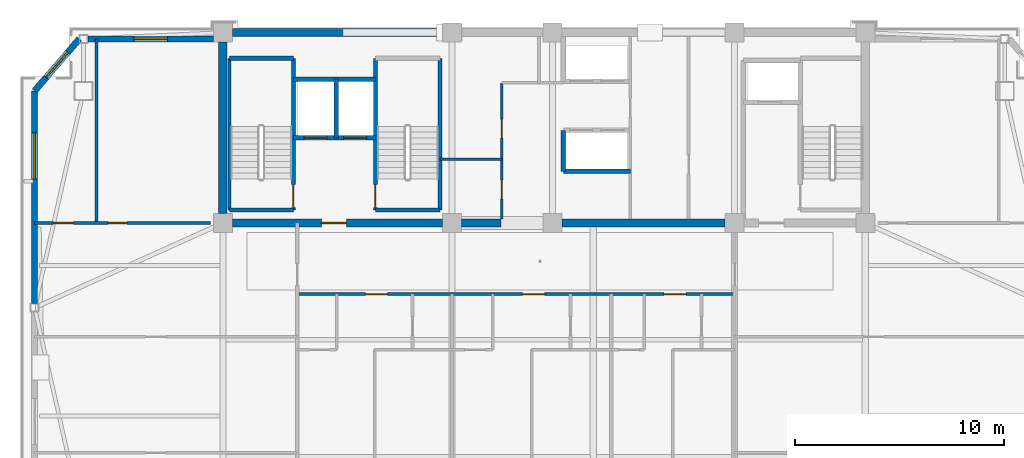
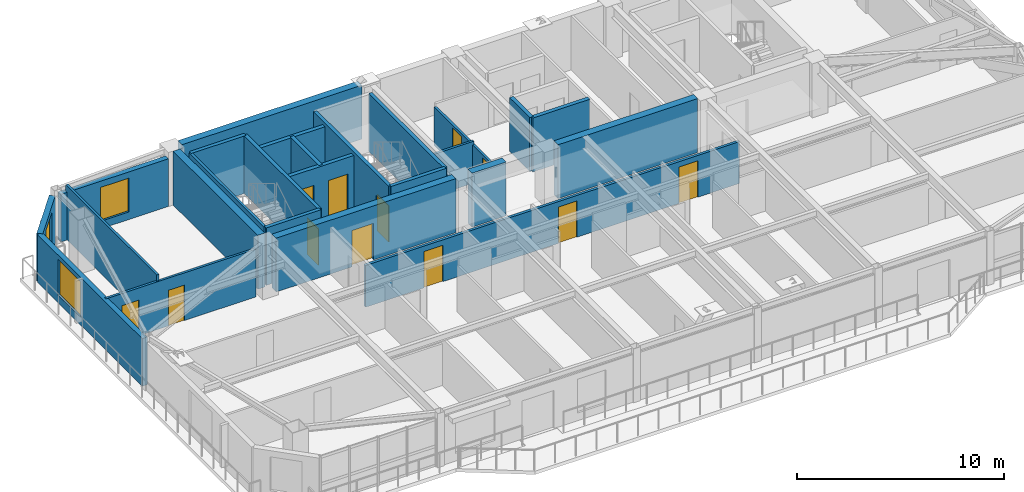
# One storey, part 7 of 14: 25 walls, 12 doors, 3 windows, 15 openings.
"""IFC4 building model written with IfcOpenShell, lengths in metres."""

from ifc_helpers import new_model, si_unit, direction, frame, frame_2d, origin, place, context, subcontext, project, spatial, rectangle, extrude, source, transform, mapped, material, layer, layer_set, type_object, element, fill, save


model = new_model("IFC4")

# Units and contexts
model_context = context("Model", 3, precision=1e-05, world=origin(), true_north=direction((0.0, 1.0)))
body_context = subcontext(model_context, "Body", "Model", "MODEL_VIEW")
ifc_project = project(units=[si_unit("LENGTHUNIT", "METRE"), si_unit("AREAUNIT", "SQUARE_METRE"), si_unit("VOLUMEUNIT", "CUBIC_METRE"), si_unit("PLANEANGLEUNIT", "RADIAN"), si_unit("MASSUNIT", "GRAM", prefix="KILO")], contexts=[model_context])

# Site, building, storey
site_placement = place(None, origin())
site = spatial("IfcSite", under=ifc_project, at=site_placement, CompositionType="ELEMENT")
building_placement = place(site_placement, origin())
building = spatial("IfcBuilding", under=site, at=building_placement, Name="Giltprow Tower", CompositionType="ELEMENT")
storey_placement = place(building_placement, frame((0.0, 0.0, 317.60009765625)))
storey = spatial("IfcBuildingStorey", under=building, at=storey_placement, Name="L82", CompositionType="ELEMENT", Elevation=317.60009765625)

# Wall, opening, window
ifc_material_1 = material(Name="Precast concrete C40", Category="concrete")
ifc_layer_1 = layer(ifc_material_1, 0.300048828125, Name="Precast concrete C40")
ifc_layer_set_1 = layer_set([ifc_layer_1], Name="Precast concrete C40")
wall_type_1 = type_object("IfcWallType", Name="EW-NOTCH-CHAMFER-300", PredefinedType="SOLIDWALL", material=ifc_layer_set_1)
wall_1_placement = place(storey_placement, frame((12.992919921875, 46.25, 0.0), z_axis=(0.0, 0.0, 1.0), x_axis=(-0.65172861611, -0.758452246977, 0.0)))
wall_1 = element("IfcWall", 1, at=wall_1_placement, inside=storey, type_object=wall_type_1, Name="L82 Corner Notch Wall NW", PredefinedType="SOLIDWALL", context=body_context, shape_type="SweptSolid", body=[
    extrude(rectangle(XDim=3.280517578125, YDim=0.300048828125, at=frame_2d((1.64013671875, 0.0))), origin(), (0.0, 0.0, 1.0), 2.81494140625),
])
opening_1_placement = place(wall_1_placement, frame((0.840087890625, 0.0, 0.449951171875)))
opening_1 = element("IfcOpeningElement", 2, at=opening_1_placement, cuts=wall_1, Name="Opening WN17", PredefinedType="OPENING", context=body_context, shape_type="SweptSolid", body=[
    extrude(rectangle(XDim=1.60009765625, YDim=2.0, at=frame_2d((0.800048828125, 1.0))), frame((0.0, 0.159912109375, 0.0), z_axis=(0.0, -1.0, 0.0), x_axis=(1.0, 0.0, 0.0)), (0.0, 0.0, 1.0), 0.320068359375),
])
ifc_material_2 = material(Name="Insulated glass", Category="glass")
window_type_1 = type_object("IfcWindowType", Name="WN-COR-1600x2000", PartitioningType="SINGLE_PANEL", PredefinedType="WINDOW", material=ifc_material_2)
shared_shape_1 = source(origin(), body_context, "Body", "SweptSolid", [
    extrude(rectangle(XDim=1.60009765625, YDim=2.0, at=frame_2d((0.800048828125, 1.0))), frame((0.0, 0.030029296875, 0.0), z_axis=(0.0, -1.0, 0.0), x_axis=(1.0, 0.0, 0.0)), (0.0, 0.0, 1.0), 0.06005859375),
])
window_1_placement = place(opening_1_placement, origin())
window_1 = element("IfcWindow", 3, at=window_1_placement, inside=storey, type_object=window_type_1, Name="L82 Corner Notch Window NW", OverallHeight=2.0, OverallWidth=1.60009765625, PartitioningType="SINGLE_PANEL", PredefinedType="WINDOW", context=body_context, shape_type="MappedRepresentation", body=[
    mapped(shared_shape_1, transform((0.0, 0.0, 0.0), x_axis=(1.0, 0.0, 0.0), y_axis=(0.0, 1.0, 0.0), z_axis=(0.0, 0.0, 1.0), scale=1.0)),
])
fill(opening_1, window_1)

ifc_layer_2 = layer(ifc_material_1, 0.280029296875, Name="Precast concrete C40")
ifc_layer_set_2 = layer_set([ifc_layer_2], Name="Precast concrete C40")
wall_type_2 = type_object("IfcWallType", Name="EW-TOW-BRONZE-280", PredefinedType="SOLIDWALL", material=ifc_layer_set_2)
wall_2_placement = place(storey_placement, frame((10.85498046875, 33.60205078125, 0.0), z_axis=(0.0, 0.0, 1.0), x_axis=(0.0, 1.0, 0.0)))
wall_2 = element("IfcWall", 4, at=wall_2_placement, inside=storey, type_object=wall_type_2, Name="L82 W Wing Masonry Wall 2", PredefinedType="SOLIDWALL", context=body_context, shape_type="SweptSolid", body=[
    extrude(rectangle(XDim=10.159912109375, YDim=0.280029296875, at=frame_2d((5.080078125, 0.0))), origin(), (0.0, 0.0, 1.0), 2.81494140625),
])
opening_2_placement = place(wall_2_placement, frame((5.955078125, 0.0, 0.449951171875)))
opening_2 = element("IfcOpeningElement", 5, at=opening_2_placement, cuts=wall_2, Name="Opening WN27", PredefinedType="OPENING", context=body_context, shape_type="SweptSolid", body=[
    extrude(rectangle(XDim=2.199951171875, YDim=2.10009765625, at=frame_2d((1.10009765625, 1.050048828125))), frame((0.0, 0.14990234375, 0.0), z_axis=(0.0, -1.0, 0.0), x_axis=(1.0, 0.0, 0.0)), (0.0, 0.0, 1.0), 0.300048828125),
])
window_type_2 = type_object("IfcWindowType", Name="WN-RES-2200x2100", PartitioningType="TRIPLE_PANEL_VERTICAL", PredefinedType="WINDOW", material=ifc_material_2)
shared_shape_2 = source(origin(), body_context, "Body", "SweptSolid", [
    extrude(rectangle(XDim=2.199951171875, YDim=2.10009765625, at=frame_2d((1.10009765625, 1.050048828125))), frame((0.0, 0.030029296875, 0.0), z_axis=(0.0, -1.0, 0.0), x_axis=(1.0, 0.0, 0.0)), (0.0, 0.0, 1.0), 0.06005859375),
])
window_2_placement = place(opening_2_placement, origin())
window_2 = element("IfcWindow", 6, at=window_2_placement, inside=storey, type_object=window_type_2, Name="L82 W Wing Window 2-1", OverallHeight=2.10009765625, OverallWidth=2.199951171875, PartitioningType="SINGLE_PANEL", PredefinedType="WINDOW", context=body_context, shape_type="MappedRepresentation", body=[
    mapped(shared_shape_2, transform((0.0, 0.0, 0.0), x_axis=(1.0, 0.0, 0.0), y_axis=(0.0, 1.0, 0.0), z_axis=(0.0, 0.0, 1.0), scale=1.0)),
])
fill(opening_2, window_2)

wall_3_placement = place(storey_placement, frame((13.39306640625, 46.25, 0.0), z_axis=(0.0, 0.0, 1.0), x_axis=(1.0, 0.0, 0.0)))
wall_3 = element("IfcWall", 7, at=wall_3_placement, inside=storey, type_object=wall_type_2, Name="L82 North-West Wing Wall", PredefinedType="SOLIDWALL", context=body_context, shape_type="SweptSolid", body=[
    extrude(rectangle(XDim=6.0068359375, YDim=0.280029296875, at=frame_2d((3.00341796875, 0.0))), origin(), (0.0, 0.0, 1.0), 2.81494140625),
])
opening_3_placement = place(wall_3_placement, frame((2.202880859375, 0.0, 0.449951171875)))
opening_3 = element("IfcOpeningElement", 8, at=opening_3_placement, cuts=wall_3, Name="Opening WN17", PredefinedType="OPENING", context=body_context, shape_type="SweptSolid", body=[
    extrude(rectangle(XDim=1.60009765625, YDim=2.0, at=frame_2d((0.800048828125, 1.0))), frame((0.0, 0.14990234375, 0.0), z_axis=(0.0, -1.0, 0.0), x_axis=(1.0, 0.0, 0.0)), (0.0, 0.0, 1.0), 0.300048828125),
])
window_3_placement = place(opening_3_placement, origin())
window_3 = element("IfcWindow", 9, at=window_3_placement, inside=storey, type_object=window_type_1, Name="L82 North-West Window", OverallHeight=2.0, OverallWidth=1.60009765625, PartitioningType="SINGLE_PANEL", PredefinedType="WINDOW", context=body_context, shape_type="MappedRepresentation", body=[
    mapped(shared_shape_1, transform((0.0, 0.0, 0.0), x_axis=(1.0, 0.0, 0.0), y_axis=(0.0, 1.0, 0.0), z_axis=(0.0, 0.0, 1.0), scale=1.0)),
])
fill(opening_3, window_3)

# Wall, openings, doors
ifc_material_3 = material(Name="Gypsum stud partition", Category="gypsum")
ifc_layer_3 = layer(ifc_material_3, 0.14990234375, Name="Gypsum stud partition")
ifc_layer_set_3 = layer_set([ifc_layer_3], Name="Gypsum stud partition")
wall_type_3 = type_object("IfcWallType", Name="IW-CORR-150", PredefinedType="PARTITIONING", material=ifc_layer_set_3)
wall_4_placement = place(storey_placement, frame((23.39990234375, 34.050048828125, 0.0), z_axis=(0.0, 0.0, 1.0), x_axis=(1.0, 0.0, 0.0)))
wall_4 = element("IfcWall", 10, at=wall_4_placement, inside=storey, type_object=wall_type_3, Name="L82 Residence Gallery Corridor Wall", PredefinedType="PARTITIONING", context=body_context, shape_type="SweptSolid", body=[
    extrude(rectangle(XDim=20.900146484375, YDim=0.14990234375, at=frame_2d((10.4501953125, 0.0))), origin(), (0.0, 0.0, 1.0), 2.469970703125),
])
opening_4_placement = place(wall_4_placement, frame((3.27490234375, 0.0, 0.0)))
opening_4 = element("IfcOpeningElement", 11, at=opening_4_placement, cuts=wall_4, Name="Opening ID31", PredefinedType="OPENING", context=body_context, shape_type="SweptSolid", body=[
    extrude(rectangle(XDim=1.050048828125, YDim=2.14990234375, at=frame_2d((0.52490234375, 1.074951171875))), frame((0.0, 0.0849609375, 0.0), z_axis=(0.0, -1.0, 0.0), x_axis=(1.0, 0.0, 0.0)), (0.0, 0.0, 1.0), 0.169921875),
])
opening_5_placement = place(wall_4_placement, frame((10.77490234375, 0.0, 0.0)))
opening_5 = element("IfcOpeningElement", 12, at=opening_5_placement, cuts=wall_4, Name="Opening ID31", PredefinedType="OPENING", context=body_context, shape_type="SweptSolid", body=[
    extrude(rectangle(XDim=1.050048828125, YDim=2.14990234375, at=frame_2d((0.52490234375, 1.074951171875))), frame((0.0, 0.0849609375, 0.0), z_axis=(0.0, -1.0, 0.0), x_axis=(1.0, 0.0, 0.0)), (0.0, 0.0, 1.0), 0.169921875),
])
opening_6_placement = place(wall_4_placement, frame((17.52490234375, 0.0, 0.0)))
opening_6 = element("IfcOpeningElement", 13, at=opening_6_placement, cuts=wall_4, Name="Opening ID31", PredefinedType="OPENING", context=body_context, shape_type="SweptSolid", body=[
    extrude(rectangle(XDim=1.050048828125, YDim=2.14990234375, at=frame_2d((0.52490234375, 1.074951171875))), frame((0.0, 0.0849609375, 0.0), z_axis=(0.0, -1.0, 0.0), x_axis=(1.0, 0.0, 0.0)), (0.0, 0.0, 1.0), 0.169921875),
])
ifc_material_4 = material(Name="Engineered timber", Category="wood")
door_type_1 = type_object("IfcDoorType", Name="DR-SUITE-1050", OperationType="SINGLE_SWING_LEFT", PredefinedType="DOOR", material=ifc_material_4)
shared_shape_3 = source(origin(), body_context, "Body", "SweptSolid", [
    extrude(rectangle(XDim=1.050048828125, YDim=2.14990234375, at=frame_2d((0.52490234375, 1.074951171875))), frame((0.0, 0.02490234375, 0.0), z_axis=(0.0, -1.0, 0.0), x_axis=(1.0, 0.0, 0.0)), (0.0, 0.0, 1.0), 0.050048828125),
])
door_1_placement = place(opening_4_placement, origin())
door_1 = element("IfcDoor", 14, at=door_1_placement, inside=storey, type_object=door_type_1, Name="L82 Unit 1 Entrance Door", OperationType="SINGLE_SWING_RIGHT", OverallHeight=2.14990234375, OverallWidth=1.050048828125, PredefinedType="DOOR", context=body_context, shape_type="MappedRepresentation", body=[
    mapped(shared_shape_3, transform((0.0, 0.0, 0.0), x_axis=(1.0, 0.0, 0.0), y_axis=(0.0, 1.0, 0.0), z_axis=(0.0, 0.0, 1.0), scale=1.0)),
])
fill(opening_4, door_1)
door_2_placement = place(opening_5_placement, origin())
door_2 = element("IfcDoor", 15, at=door_2_placement, inside=storey, type_object=door_type_1, Name="L82 Unit 2 Entrance Door", OperationType="SINGLE_SWING_RIGHT", OverallHeight=2.14990234375, OverallWidth=1.050048828125, PredefinedType="DOOR", context=body_context, shape_type="MappedRepresentation", body=[
    mapped(shared_shape_3, transform((0.0, 0.0, 0.0), x_axis=(1.0, 0.0, 0.0), y_axis=(0.0, 1.0, 0.0), z_axis=(0.0, 0.0, 1.0), scale=1.0)),
])
fill(opening_5, door_2)
door_3_placement = place(opening_6_placement, origin())
door_3 = element("IfcDoor", 16, at=door_3_placement, inside=storey, type_object=door_type_1, Name="L82 Unit 3 Entrance Door", OperationType="SINGLE_SWING_RIGHT", OverallHeight=2.14990234375, OverallWidth=1.050048828125, PredefinedType="DOOR", context=body_context, shape_type="MappedRepresentation", body=[
    mapped(shared_shape_3, transform((0.0, 0.0, 0.0), x_axis=(1.0, 0.0, 0.0), y_axis=(0.0, 1.0, 0.0), z_axis=(0.0, 0.0, 1.0), scale=1.0)),
])
fill(opening_6, door_3)

ifc_material_5 = material(Name="Concrete C40", Category="concrete")
ifc_layer_4 = layer(ifc_material_5, 0.219970703125, Name="Concrete C40")
ifc_layer_set_4 = layer_set([ifc_layer_4], Name="Concrete C40")
wall_type_4 = type_object("IfcWallType", Name="IW-SHAFT-220", PredefinedType="SOLIDWALL", material=ifc_layer_set_4)
wall_5_placement = place(storey_placement, frame((23.219970703125, 41.52001953125, 0.0), z_axis=(0.0, 0.0, 1.0), x_axis=(1.0, 0.0, 0.0)))
wall_5 = element("IfcWall", 17, at=wall_5_placement, inside=storey, type_object=wall_type_4, Name="L82 FFL1 and Service Lift Front Wall", PredefinedType="SOLIDWALL", context=body_context, shape_type="SweptSolid", body=[
    extrude(rectangle(XDim=3.919921875, YDim=0.219970703125, at=frame_2d((1.9599609375, 0.0))), origin(), (0.0, 0.0, 1.0), 3.184814453125),
])
opening_7_placement = place(wall_5_placement, frame((0.5, 0.0, 0.0)))
opening_7 = element("IfcOpeningElement", 18, at=opening_7_placement, cuts=wall_5, Name="Opening LD-11", PredefinedType="OPENING", context=body_context, shape_type="SweptSolid", body=[
    extrude(rectangle(XDim=1.10009765625, YDim=2.199951171875, at=frame_2d((0.550048828125, 1.10009765625))), frame((0.0, 0.119873046875, 0.0), z_axis=(0.0, -1.0, 0.0), x_axis=(1.0, 0.0, 0.0)), (0.0, 0.0, 1.0), 0.239990234375),
])
opening_8_placement = place(wall_5_placement, frame((2.39990234375, 0.0, 0.0)))
opening_8 = element("IfcOpeningElement", 19, at=opening_8_placement, cuts=wall_5, Name="Opening LD-11", PredefinedType="OPENING", context=body_context, shape_type="SweptSolid", body=[
    extrude(rectangle(XDim=1.10009765625, YDim=2.199951171875, at=frame_2d((0.550048828125, 1.10009765625))), frame((0.0, 0.119873046875, 0.0), z_axis=(0.0, -1.0, 0.0), x_axis=(1.0, 0.0, 0.0)), (0.0, 0.0, 1.0), 0.239990234375),
])
ifc_material_6 = material(Name="Stainless steel", Category="steel")
door_type_2 = type_object("IfcDoorType", Name="DR-LIFT-LD1100", OperationType="SLIDING_TO_LEFT", PredefinedType="DOOR", material=ifc_material_6)
shared_shape_4 = source(origin(), body_context, "Body", "SweptSolid", [
    extrude(rectangle(XDim=1.10009765625, YDim=2.199951171875, at=frame_2d((0.550048828125, 1.10009765625))), frame((0.0, 0.02490234375, 0.0), z_axis=(0.0, -1.0, 0.0), x_axis=(1.0, 0.0, 0.0)), (0.0, 0.0, 1.0), 0.050048828125),
])
door_4_placement = place(opening_7_placement, origin())
door_4 = element("IfcDoor", 20, at=door_4_placement, inside=storey, type_object=door_type_2, Name="L82 FFL1 Landing Door", OperationType="SLIDING_TO_LEFT", OverallHeight=2.199951171875, OverallWidth=1.10009765625, PredefinedType="DOOR", context=body_context, shape_type="MappedRepresentation", body=[
    mapped(shared_shape_4, transform((0.0, 0.0, 0.0), x_axis=(1.0, 0.0, 0.0), y_axis=(0.0, 1.0, 0.0), z_axis=(0.0, 0.0, 1.0), scale=1.0)),
])
fill(opening_7, door_4)
door_5_placement = place(opening_8_placement, origin())
door_5 = element("IfcDoor", 21, at=door_5_placement, inside=storey, type_object=door_type_2, Name="L82 SVL1 Landing Door", OperationType="SLIDING_TO_LEFT", OverallHeight=2.199951171875, OverallWidth=1.10009765625, PredefinedType="DOOR", context=body_context, shape_type="MappedRepresentation", body=[
    mapped(shared_shape_4, transform((0.0, 0.0, 0.0), x_axis=(1.0, 0.0, 0.0), y_axis=(0.0, 1.0, 0.0), z_axis=(0.0, 0.0, 1.0), scale=1.0)),
])
fill(opening_8, door_5)

# Walls
wall_6_placement = place(storey_placement, frame((25.260009765625, 41.52001953125, 0.0), z_axis=(0.0, 0.0, 1.0), x_axis=(0.0, 1.0, 0.0)))
element("IfcWall", 22, at=wall_6_placement, inside=storey, type_object=wall_type_4, Name="L82 FFL1-SVL1 Shaft Divider", PredefinedType="SOLIDWALL", context=body_context, shape_type="SweptSolid", body=[
    extrude(rectangle(XDim=2.800048828125, YDim=0.219970703125, at=frame_2d((1.39990234375, 0.0))), origin(), (0.0, 0.0, 1.0), 3.184814453125),
])
wall_7_placement = place(storey_placement, frame((23.219970703125, 44.320068359375, 0.0), z_axis=(0.0, 0.0, 1.0), x_axis=(1.0, 0.0, 0.0)))
element("IfcWall", 23, at=wall_7_placement, inside=storey, type_object=wall_type_4, Name="L82 FFL1-SVL1 Back Shaft Wall", PredefinedType="SOLIDWALL", context=body_context, shape_type="SweptSolid", body=[
    extrude(rectangle(XDim=3.919921875, YDim=0.219970703125, at=frame_2d((1.9599609375, 0.0))), origin(), (0.0, 0.0, 1.0), 3.184814453125),
])
wall_8_placement = place(storey_placement, frame((36.1201171875, 39.919921875, 0.0), z_axis=(0.0, 0.0, 1.0), x_axis=(1.0, 0.0, 0.0)))
element("IfcWall", 24, at=wall_8_placement, inside=storey, type_object=wall_type_4, Name="L82 High-Rise South Lift Back Wall", PredefinedType="SOLIDWALL", context=body_context, shape_type="SweptSolid", body=[
    extrude(rectangle(XDim=3.199951171875, YDim=0.219970703125, at=frame_2d((1.60009765625, 0.0))), origin(), (0.0, 0.0, 1.0), 3.184814453125),
])
wall_9_placement = place(storey_placement, frame((36.1201171875, 39.919921875, 0.0), z_axis=(0.0, 0.0, 1.0), x_axis=(0.0, 1.0, 0.0)))
element("IfcWall", 25, at=wall_9_placement, inside=storey, type_object=wall_type_4, Name="L82 High-Rise South Lift West Closure", PredefinedType="SOLIDWALL", context=body_context, shape_type="SweptSolid", body=[
    extrude(rectangle(XDim=1.9599609375, YDim=0.219970703125, at=frame_2d((0.97998046875, 0.0))), origin(), (0.0, 0.0, 1.0), 3.184814453125),
])
ifc_material_7 = material(Name="Concrete C45", Category="concrete")
ifc_layer_5 = layer(ifc_material_7, 0.139892578125, Name="Concrete C45")
ifc_layer_set_5 = layer_set([ifc_layer_5], Name="Concrete C45")
wall_type_5 = type_object("IfcWallType", Name="IW-STAIR-140", PredefinedType="SOLIDWALL", material=ifc_layer_set_5)
wall_10_placement = place(storey_placement, frame((20.169921875, 38.070068359375, 0.0), z_axis=(0.0, 0.0, 1.0), x_axis=(0.0, 1.0, 0.0)))
element("IfcWall", 26, at=wall_10_placement, inside=storey, type_object=wall_type_5, Name="L82 Stair ST-1 West Bearing Wall", PredefinedType="SOLIDWALL", context=body_context, shape_type="SweptSolid", body=[
    extrude(rectangle(XDim=7.25, YDim=0.139892578125, at=frame_2d((3.625, 0.0))), origin(), (0.0, 0.0, 1.0), 3.39990234375),
])

# Wall, opening, door
ifc_layer_6 = layer(ifc_material_5, 0.199951171875, Name="Concrete C40")
ifc_layer_set_6 = layer_set([ifc_layer_6], Name="Concrete C40")
wall_type_6 = type_object("IfcWallType", Name="IW-STAIR-200", PredefinedType="SOLIDWALL", material=ifc_layer_set_6)
wall_11_placement = place(storey_placement, frame((23.219970703125, 38.070068359375, 0.0), z_axis=(0.0, 0.0, 1.0), x_axis=(0.0, 1.0, 0.0)))
wall_11 = element("IfcWall", 27, at=wall_11_placement, inside=storey, type_object=wall_type_6, Name="L82 Stair ST-1 East Bearing Wall", PredefinedType="SOLIDWALL", context=body_context, shape_type="SweptSolid", body=[
    extrude(rectangle(XDim=7.25, YDim=0.199951171875, at=frame_2d((3.625, 0.0))), origin(), (0.0, 0.0, 1.0), 3.39990234375),
])
opening_9_placement = place(wall_11_placement, frame((0.110107421875, 0.0, 0.0)))
opening_9 = element("IfcOpeningElement", 28, at=opening_9_placement, cuts=wall_11, Name="Opening ID33", PredefinedType="OPENING", context=body_context, shape_type="SweptSolid", body=[
    extrude(rectangle(XDim=1.10009765625, YDim=2.14990234375, at=frame_2d((0.550048828125, 1.074951171875))), frame((0.0, 0.10986328125, 0.0), z_axis=(0.0, -1.0, 0.0), x_axis=(1.0, 0.0, 0.0)), (0.0, 0.0, 1.0), 0.219970703125),
])
ifc_material_8 = material(Name="Steel fire leaf", Category="steel")
door_type_3 = type_object("IfcDoorType", Name="DR-STAIR-1100", OperationType="SINGLE_SWING_LEFT", PredefinedType="DOOR", material=ifc_material_8)
shared_shape_5 = source(origin(), body_context, "Body", "SweptSolid", [
    extrude(rectangle(XDim=1.10009765625, YDim=2.14990234375, at=frame_2d((0.550048828125, 1.074951171875))), frame((0.0, 0.02490234375, 0.0), z_axis=(0.0, -1.0, 0.0), x_axis=(1.0, 0.0, 0.0)), (0.0, 0.0, 1.0), 0.050048828125),
])
door_6_placement = place(opening_9_placement, origin())
door_6 = element("IfcDoor", 29, at=door_6_placement, inside=storey, type_object=door_type_3, Name="L82 Stair ST-1 Fire Door", OperationType="SINGLE_SWING_RIGHT", OverallHeight=2.14990234375, OverallWidth=1.10009765625, PredefinedType="DOOR", context=body_context, shape_type="MappedRepresentation", body=[
    mapped(shared_shape_5, transform((0.0, 0.0, 0.0), x_axis=(1.0, 0.0, 0.0), y_axis=(0.0, 1.0, 0.0), z_axis=(0.0, 0.0, 1.0), scale=1.0)),
])
fill(opening_9, door_6)

# Walls
for number, where, z_axis, x_axis, name in (
    (30, (20.169921875, 45.320068359375, 0.0), (0.0, 0.0, 1.0), (1.0, 0.0, 0.0), "L82 Stair ST-1 North Bearing Wall"),
    (31, (20.169921875, 38.070068359375, 0.0), (0.0, 0.0, 1.0), (1.0, 0.0, 0.0), "L82 Stair ST-1 South Bearing Wall"),
):
    element("IfcWall", number, at=place(storey_placement, frame(where, z_axis=z_axis, x_axis=x_axis)), inside=storey, type_object=wall_type_6, Name=name, PredefinedType="SOLIDWALL", context=body_context, shape_type="SweptSolid", body=[
        extrude(rectangle(XDim=3.050048828125, YDim=0.199951171875, at=frame_2d((1.52490234375, 0.0))), origin(), (0.0, 0.0, 1.0), 3.39990234375),
    ])

# Wall, opening, door
wall_12_placement = place(storey_placement, frame((27.139892578125, 38.070068359375, 0.0), z_axis=(0.0, 0.0, 1.0), x_axis=(0.0, 1.0, 0.0)))
wall_12 = element("IfcWall", 32, at=wall_12_placement, inside=storey, type_object=wall_type_6, Name="L82 Stair ST-2 West Bearing Wall", PredefinedType="SOLIDWALL", context=body_context, shape_type="SweptSolid", body=[
    extrude(rectangle(XDim=7.25, YDim=0.199951171875, at=frame_2d((3.625, 0.0))), origin(), (0.0, 0.0, 1.0), 3.39990234375),
])
opening_10_placement = place(wall_12_placement, frame((0.110107421875, 0.0, 0.0)))
opening_10 = element("IfcOpeningElement", 33, at=opening_10_placement, cuts=wall_12, Name="Opening ID33", PredefinedType="OPENING", context=body_context, shape_type="SweptSolid", body=[
    extrude(rectangle(XDim=1.10009765625, YDim=2.14990234375, at=frame_2d((0.550048828125, 1.074951171875))), frame((0.0, 0.10986328125, 0.0), z_axis=(0.0, -1.0, 0.0), x_axis=(1.0, 0.0, 0.0)), (0.0, 0.0, 1.0), 0.219970703125),
])
door_7_placement = place(opening_10_placement, origin())
door_7 = element("IfcDoor", 34, at=door_7_placement, inside=storey, type_object=door_type_3, Name="L82 Stair ST-2 Fire Door", OperationType="SINGLE_SWING_LEFT", OverallHeight=2.14990234375, OverallWidth=1.10009765625, PredefinedType="DOOR", context=body_context, shape_type="MappedRepresentation", body=[
    mapped(shared_shape_5, transform((0.0, 0.0, 0.0), x_axis=(1.0, 0.0, 0.0), y_axis=(0.0, 1.0, 0.0), z_axis=(0.0, 0.0, 1.0), scale=1.0)),
])
fill(opening_10, door_7)

# Walls
wall_13_placement = place(storey_placement, frame((30.219970703125, 38.070068359375, 0.0), z_axis=(0.0, 0.0, 1.0), x_axis=(0.0, 1.0, 0.0)))
element("IfcWall", 35, at=wall_13_placement, inside=storey, type_object=wall_type_6, Name="L82 Stair ST-2 East Bearing Wall", PredefinedType="SOLIDWALL", context=body_context, shape_type="SweptSolid", body=[
    extrude(rectangle(XDim=7.25, YDim=0.199951171875, at=frame_2d((3.625, 0.0))), origin(), (0.0, 0.0, 1.0), 3.39990234375),
])
wall_14_placement = place(storey_placement, frame((27.139892578125, 38.070068359375, 0.0), z_axis=(0.0, 0.0, 1.0), x_axis=(1.0, 0.0, 0.0)))
element("IfcWall", 36, at=wall_14_placement, inside=storey, type_object=wall_type_6, Name="L82 Stair ST-2 South Bearing Wall", PredefinedType="SOLIDWALL", context=body_context, shape_type="SweptSolid", body=[
    extrude(rectangle(XDim=3.080078125, YDim=0.199951171875, at=frame_2d((1.5400390625, 0.0))), origin(), (0.0, 0.0, 1.0), 3.39990234375),
])

# Wall, openings, doors
ifc_material_9 = material(Name="Concrete C30", Category="concrete")
ifc_layer_7 = layer(ifc_material_9, 0.1298828125, Name="Concrete C30")
ifc_layer_set_7 = layer_set([ifc_layer_7], Name="Concrete C30")
wall_type_7 = type_object("IfcWallType", Name="IW-WET-130", PredefinedType="PARTITIONING", material=ifc_layer_set_7)
wall_15_placement = place(storey_placement, frame((33.179931640625, 37.6298828125, 0.0), z_axis=(0.0, 0.0, 1.0), x_axis=(0.0, 1.0, 0.0)))
wall_15 = element("IfcWall", 37, at=wall_15_placement, inside=storey, type_object=wall_type_7, Name="L82 Reclaimed West Core Wall", PredefinedType="PARTITIONING", context=body_context, shape_type="SweptSolid", body=[
    extrude(rectangle(XDim=6.52001953125, YDim=0.1298828125, at=frame_2d((3.260009765625, 0.0))), origin(), (0.0, 0.0, 1.0), 2.27001953125),
])
opening_11_placement = place(wall_15_placement, frame((0.969970703125, 0.0, 0.0)))
opening_11 = element("IfcOpeningElement", 38, at=opening_11_placement, cuts=wall_15, Name="Opening ID35", PredefinedType="OPENING", context=body_context, shape_type="SweptSolid", body=[
    extrude(rectangle(XDim=0.89990234375, YDim=2.10009765625, at=frame_2d((0.449951171875, 1.050048828125))), frame((0.0, 0.074951171875, 0.0), z_axis=(0.0, -1.0, 0.0), x_axis=(1.0, 0.0, 0.0)), (0.0, 0.0, 1.0), 0.14990234375),
])
opening_12_placement = place(wall_15_placement, frame((3.8701171875, 0.0, 0.0)))
opening_12 = element("IfcOpeningElement", 39, at=opening_12_placement, cuts=wall_15, Name="Opening ID35", PredefinedType="OPENING", context=body_context, shape_type="SweptSolid", body=[
    extrude(rectangle(XDim=0.89990234375, YDim=2.10009765625, at=frame_2d((0.449951171875, 1.050048828125))), frame((0.0, 0.074951171875, 0.0), z_axis=(0.0, -1.0, 0.0), x_axis=(1.0, 0.0, 0.0)), (0.0, 0.0, 1.0), 0.14990234375),
])
door_type_4 = type_object("IfcDoorType", Name="DR-SHAFT-900", OperationType="SINGLE_SWING_LEFT", PredefinedType="DOOR", material=ifc_material_8)
shared_shape_6 = source(origin(), body_context, "Body", "SweptSolid", [
    extrude(rectangle(XDim=0.89990234375, YDim=2.10009765625, at=frame_2d((0.449951171875, 1.050048828125))), frame((0.0, 0.02490234375, 0.0), z_axis=(0.0, -1.0, 0.0), x_axis=(1.0, 0.0, 0.0)), (0.0, 0.0, 1.0), 0.050048828125),
])
door_8_placement = place(opening_11_placement, origin())
door_8 = element("IfcDoor", 40, at=door_8_placement, inside=storey, type_object=door_type_4, Name="L82 Core Powder WC Door", OperationType="SINGLE_SWING_LEFT", OverallHeight=2.10009765625, OverallWidth=0.89990234375, PredefinedType="DOOR", context=body_context, shape_type="MappedRepresentation", body=[
    mapped(shared_shape_6, transform((0.0, 0.0, 0.0), x_axis=(1.0, 0.0, 0.0), y_axis=(0.0, 1.0, 0.0), z_axis=(0.0, 0.0, 1.0), scale=1.0)),
])
fill(opening_11, door_8)
door_9_placement = place(opening_12_placement, origin())
door_9 = element("IfcDoor", 41, at=door_9_placement, inside=storey, type_object=door_type_4, Name="L82 Core Sommelier Pantry Door", OperationType="SINGLE_SWING_RIGHT", OverallHeight=2.10009765625, OverallWidth=0.89990234375, PredefinedType="DOOR", context=body_context, shape_type="MappedRepresentation", body=[
    mapped(shared_shape_6, transform((0.0, 0.0, 0.0), x_axis=(1.0, 0.0, 0.0), y_axis=(0.0, 1.0, 0.0), z_axis=(0.0, 0.0, 1.0), scale=1.0)),
])
fill(opening_12, door_9)

# Wall
wall_16_placement = place(storey_placement, frame((30.219970703125, 40.5, 0.0), z_axis=(0.0, 0.0, 1.0), x_axis=(1.0, 0.0, 0.0)))
element("IfcWall", 42, at=wall_16_placement, inside=storey, type_object=wall_type_7, Name="L82 West Core Split 2", PredefinedType="PARTITIONING", context=body_context, shape_type="SweptSolid", body=[
    extrude(rectangle(XDim=2.9599609375, YDim=0.1298828125, at=frame_2d((1.47998046875, 0.0))), origin(), (0.0, 0.0, 1.0), 2.469970703125),
])

# Wall, openings, doors
wall_17_placement = place(storey_placement, frame((10.85498046875, 37.449951171875, 0.0), z_axis=(0.0, 0.0, 1.0), x_axis=(1.0, 0.0, 0.0)))
wall_17 = element("IfcWall", 43, at=wall_17_placement, inside=storey, type_object=wall_type_7, Name="L82 NW Wing South Wall", PredefinedType="PARTITIONING", context=body_context, shape_type="SweptSolid", body=[
    extrude(rectangle(XDim=8.39501953125, YDim=0.1298828125, at=frame_2d((4.197509765625, 0.0))), origin(), (0.0, 0.0, 1.0), 2.81982421875),
])
opening_13_placement = place(wall_17_placement, frame((0.89990234375, 0.0, 0.0)))
opening_13 = element("IfcOpeningElement", 44, at=opening_13_placement, cuts=wall_17, Name="Opening ID11", PredefinedType="OPENING", context=body_context, shape_type="SweptSolid", body=[
    extrude(rectangle(XDim=0.949951171875, YDim=2.10009765625, at=frame_2d((0.47509765625, 1.050048828125))), frame((0.0, 0.074951171875, 0.0), z_axis=(0.0, -1.0, 0.0), x_axis=(1.0, 0.0, 0.0)), (0.0, 0.0, 1.0), 0.14990234375),
])
opening_14_placement = place(wall_17_placement, frame((3.501953125, 0.0, 0.0)))
opening_14 = element("IfcOpeningElement", 45, at=opening_14_placement, cuts=wall_17, Name="Opening ID15", PredefinedType="OPENING", context=body_context, shape_type="SweptSolid", body=[
    extrude(rectangle(XDim=0.89990234375, YDim=2.10009765625, at=frame_2d((0.449951171875, 1.050048828125))), frame((0.0, 0.074951171875, 0.0), z_axis=(0.0, -1.0, 0.0), x_axis=(1.0, 0.0, 0.0)), (0.0, 0.0, 1.0), 0.14990234375),
])
door_type_5 = type_object("IfcDoorType", Name="DR-WC-900", OperationType="SINGLE_SWING_LEFT", PredefinedType="DOOR", material=ifc_material_4)
door_10_placement = place(opening_14_placement, origin())
door_10 = element("IfcDoor", 46, at=door_10_placement, inside=storey, type_object=door_type_5, Name="L82 NW Washroom Door", OperationType="SINGLE_SWING_RIGHT", OverallHeight=2.10009765625, OverallWidth=0.89990234375, PredefinedType="DOOR", context=body_context, shape_type="MappedRepresentation", body=[
    mapped(shared_shape_6, transform((0.0, 0.0, 0.0), x_axis=(1.0, 0.0, 0.0), y_axis=(0.0, 1.0, 0.0), z_axis=(0.0, 0.0, 1.0), scale=1.0)),
])
fill(opening_14, door_10)
door_type_6 = type_object("IfcDoorType", Name="DR-ROOM-950", OperationType="SINGLE_SWING_RIGHT", PredefinedType="DOOR", material=ifc_material_4)
shared_shape_7 = source(origin(), body_context, "Body", "SweptSolid", [
    extrude(rectangle(XDim=0.949951171875, YDim=2.10009765625, at=frame_2d((0.47509765625, 1.050048828125))), frame((0.0, 0.02490234375, 0.0), z_axis=(0.0, -1.0, 0.0), x_axis=(1.0, 0.0, 0.0)), (0.0, 0.0, 1.0), 0.050048828125),
])
door_11_placement = place(opening_13_placement, origin())
door_11 = element("IfcDoor", 47, at=door_11_placement, inside=storey, type_object=door_type_6, Name="L82 Residents Study Office West Door", OperationType="SINGLE_SWING_LEFT", OverallHeight=2.10009765625, OverallWidth=0.949951171875, PredefinedType="DOOR", context=body_context, shape_type="MappedRepresentation", body=[
    mapped(shared_shape_7, transform((0.0, 0.0, 0.0), x_axis=(1.0, 0.0, 0.0), y_axis=(0.0, 1.0, 0.0), z_axis=(0.0, 0.0, 1.0), scale=1.0)),
])
fill(opening_13, door_11)

# Walls
wall_18_placement = place(storey_placement, frame((13.806884765625, 37.449951171875, 0.0), z_axis=(0.0, 0.0, 1.0), x_axis=(0.0, 1.0, 0.0)))
element("IfcWall", 48, at=wall_18_placement, inside=storey, type_object=wall_type_7, Name="L82 NW Wing Divider", PredefinedType="PARTITIONING", context=body_context, shape_type="SweptSolid", body=[
    extrude(rectangle(XDim=8.800048828125, YDim=0.1298828125, at=frame_2d((4.39990234375, 0.0))), origin(), (0.0, 0.0, 1.0), 3.184814453125),
])
ifc_layer_8 = layer(ifc_material_7, 0.39990234375, Name="Concrete C45")
ifc_layer_set_8 = layer_set([ifc_layer_8], Name="Concrete C45")
wall_type_8 = type_object("IfcWallType", Name="SW-EXT-400-C45", PredefinedType="SHEAR", material=ifc_layer_set_8)
wall_19_placement = place(storey_placement, frame((20.300048828125, 46.550048828125, 0.0), z_axis=(0.0, 0.0, 1.0), x_axis=(1.0, 0.0, 0.0)))
element("IfcWall", 49, at=wall_19_placement, inside=storey, type_object=wall_type_8, Name="L82 North Rear Core Shear Wall 1", PredefinedType="SHEAR", context=body_context, shape_type="SweptSolid", body=[
    extrude(rectangle(XDim=10.050048828125, YDim=0.39990234375, at=frame_2d((5.02490234375, 0.0))), origin(), (0.0, 0.0, 1.0), 3.184814453125),
])

# Wall, opening, door
ifc_layer_9 = layer(ifc_material_7, 0.39990234375, Name="Concrete C45")
ifc_layer_set_9 = layer_set([ifc_layer_9], Name="Concrete C45")
wall_type_9 = type_object("IfcWallType", Name="SW-INT-400-C45", PredefinedType="SHEAR", material=ifc_layer_set_9)
wall_20_placement = place(storey_placement, frame((20.300048828125, 37.449951171875, 0.0), z_axis=(0.0, 0.0, 1.0), x_axis=(1.0, 0.0, 0.0)))
wall_20 = element("IfcWall", 50, at=wall_20_placement, inside=storey, type_object=wall_type_9, Name="L82 South Rear Core Shear Wall West", PredefinedType="SHEAR", context=body_context, shape_type="SweptSolid", body=[
    extrude(rectangle(XDim=10.050048828125, YDim=0.39990234375, at=frame_2d((5.02490234375, 0.0))), origin(), (0.0, 0.0, 1.0), 3.184814453125),
])
opening_15_placement = place(wall_20_placement, frame((4.25, 0.0, 0.0)))
opening_15 = element("IfcOpeningElement", 51, at=opening_15_placement, cuts=wall_20, Name="Opening ID19", PredefinedType="OPENING", context=body_context, shape_type="SweptSolid", body=[
    extrude(rectangle(XDim=1.199951171875, YDim=2.14990234375, at=frame_2d((0.60009765625, 1.074951171875))), frame((0.0, 0.2099609375, 0.0), z_axis=(0.0, -1.0, 0.0), x_axis=(1.0, 0.0, 0.0)), (0.0, 0.0, 1.0), 0.419921875),
])
door_type_7 = type_object("IfcDoorType", Name="DR-FFLOBBY-1200", OperationType="SINGLE_SWING_RIGHT", PredefinedType="DOOR", material=ifc_material_8)
shared_shape_8 = source(origin(), body_context, "Body", "SweptSolid", [
    extrude(rectangle(XDim=1.199951171875, YDim=2.14990234375, at=frame_2d((0.60009765625, 1.074951171875))), frame((0.0, 0.02490234375, 0.0), z_axis=(0.0, -1.0, 0.0), x_axis=(1.0, 0.0, 0.0)), (0.0, 0.0, 1.0), 0.050048828125),
])
door_12_placement = place(opening_15_placement, origin())
door_12 = element("IfcDoor", 52, at=door_12_placement, inside=storey, type_object=door_type_7, Name="L82 West Firefighting Lobby Entry Door", OperationType="SINGLE_SWING_LEFT", OverallHeight=2.14990234375, OverallWidth=1.199951171875, PredefinedType="DOOR", context=body_context, shape_type="MappedRepresentation", body=[
    mapped(shared_shape_8, transform((0.0, 0.0, 0.0), x_axis=(1.0, 0.0, 0.0), y_axis=(0.0, 1.0, 0.0), z_axis=(0.0, 0.0, 1.0), scale=1.0)),
])
fill(opening_15, door_12)

# Walls
wall_21_placement = place(storey_placement, frame((31.25, 37.449951171875, 0.0), z_axis=(0.0, 0.0, 1.0), x_axis=(1.0, 0.0, 0.0)))
element("IfcWall", 53, at=wall_21_placement, inside=storey, type_object=wall_type_9, Name="L82 South Rear Core Shear Wall Mid-West", PredefinedType="SHEAR", context=body_context, shape_type="SweptSolid", body=[
    extrude(rectangle(XDim=1.89990234375, YDim=0.39990234375, at=frame_2d((0.949951171875, 0.0))), origin(), (0.0, 0.0, 1.0), 3.184814453125),
])
wall_22_placement = place(storey_placement, frame((36.050048828125, 37.449951171875, 0.0), z_axis=(0.0, 0.0, 1.0), x_axis=(1.0, 0.0, 0.0)))
element("IfcWall", 54, at=wall_22_placement, inside=storey, type_object=wall_type_9, Name="L82 South Rear Core Shear Wall Mid-East", PredefinedType="SHEAR", context=body_context, shape_type="SweptSolid", body=[
    extrude(rectangle(XDim=7.800048828125, YDim=0.39990234375, at=frame_2d((3.89990234375, 0.0))), origin(), (0.0, 0.0, 1.0), 3.184814453125),
])
wall_23_placement = place(storey_placement, frame((19.85009765625, 37.89990234375, 0.0), z_axis=(0.0, 0.0, 1.0), x_axis=(0.0, 1.0, 0.0)))
element("IfcWall", 55, at=wall_23_placement, inside=storey, type_object=wall_type_9, Name="L82 W Rear Core Shear Wall", PredefinedType="SHEAR", context=body_context, shape_type="SweptSolid", body=[
    extrude(rectangle(XDim=8.2001953125, YDim=0.39990234375, at=frame_2d((4.10009765625, 0.0))), origin(), (0.0, 0.0, 1.0), 3.184814453125),
])

save(model, "model.ifc")
